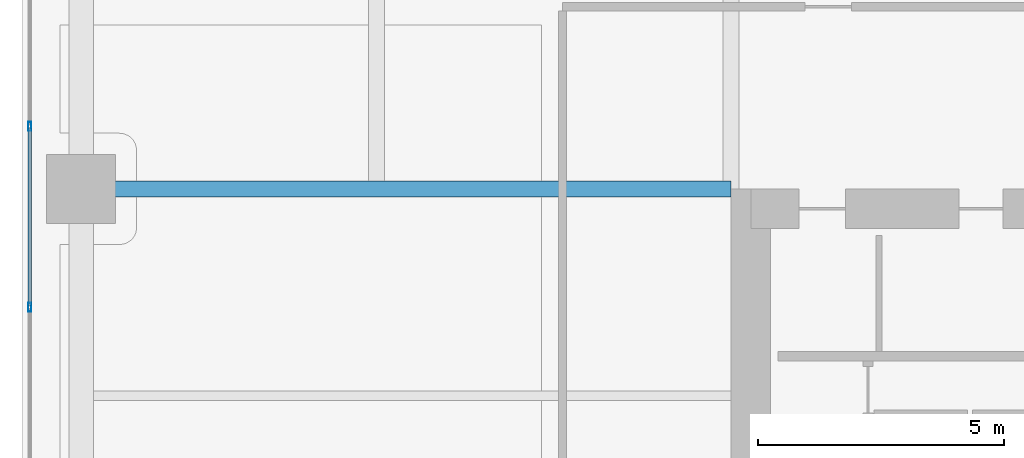
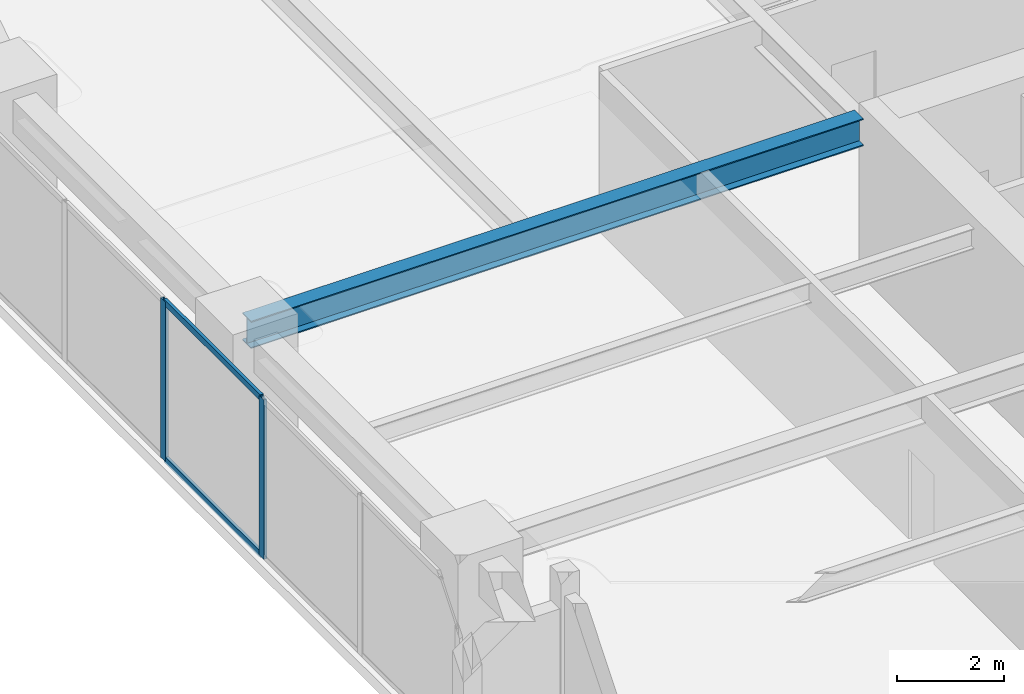
# One storey, part 8 of 24: 4 members, 1 beam, 1 element without a shape of its own.
"""IFC4 building model written with IfcOpenShell, lengths in metres."""

from ifc_helpers import new_model, si_unit, direction, frame, origin, origin_2d, place, context, subcontext, project, spatial, hollow_rectangle, i_section, extrude, material, layer, layer_set, material_profile, profile_set, type_object, element, aggregate, save


model = new_model("IFC4")

# Units and contexts
model_context = context("Model", 3, precision=1e-05, world=origin(), true_north=direction((0.0, 1.0)))
body_context = subcontext(model_context, "Body", "Model", "MODEL_VIEW")
ifc_project = project(units=[si_unit("LENGTHUNIT", "METRE"), si_unit("AREAUNIT", "SQUARE_METRE"), si_unit("VOLUMEUNIT", "CUBIC_METRE"), si_unit("PLANEANGLEUNIT", "RADIAN"), si_unit("MASSUNIT", "GRAM", prefix="KILO")], contexts=[model_context])

# Site, building, storey
site_placement = place(None, origin())
site = spatial("IfcSite", under=ifc_project, at=site_placement, CompositionType="ELEMENT")
building_placement = place(site_placement, origin())
building = spatial("IfcBuilding", under=site, at=building_placement, Name="Kiyonajd Concourse Tower", CompositionType="ELEMENT")
storey_placement = place(building_placement, frame((0.0, 0.0, 97.5)))
storey = spatial("IfcBuildingStorey", under=building, at=storey_placement, Name="L25", CompositionType="ELEMENT", Elevation=97.5)

# Beam
ifc_material_1 = material(Name="Steel ASTM A992 Grade 50", Category="steel")
ifc_material_profile_1 = material_profile(ifc_material_1, i_section(OverallWidth=0.326904296875, OverallDepth=0.6220703125, WebThickness=0.015380859375, FlangeThickness=0.0244140625, at=origin_2d()), Name="W610X195")
ifc_profile_set_1 = profile_set([ifc_material_profile_1], Name="Steel ASTM A992 Grade 50")
beam_type = type_object("IfcBeamType", Name="BM-TWR-610A", PredefinedType="BEAM", material=ifc_profile_set_1)
beam_placement = place(storey_placement, frame((19.199951171875, 44.39990234375, 3.3291015625), z_axis=(1.0, 0.0, 0.0), x_axis=(0.0, 1.0, 0.0)))
element("IfcBeam", 1, at=beam_placement, inside=storey, type_object=beam_type, Name="L25 West Lease Girder", PredefinedType="BEAM", context=body_context, shape_type="SweptSolid", body=[
    extrude(i_section(OverallWidth=0.326904296875, OverallDepth=0.6220703125, WebThickness=0.015380859375, FlangeThickness=0.0244140625, at=origin_2d()), origin(), (0.0, 0.0, 1.0), 13.199951171875),
])

# Curtain wall, members
ifc_material_2 = material(Name="Thermally Broken Anodised Aluminium", Category="aluminium")
ifc_layer = layer(ifc_material_2, 0.179931640625)
ifc_layer_set = layer_set([ifc_layer], Name="Thermally Broken Anodised Aluminium")
curtain_wall_type = type_object("IfcCurtainWallType", Name="CW-SYS-03", PredefinedType="NOTDEFINED", material=ifc_layer_set)
curtain_wall_placement = place(storey_placement, origin())
curtain_wall = element("IfcCurtainWall", 2, at=curtain_wall_placement, inside=storey, type_object=curtain_wall_type, Name="L25 Unitised Curtain Wall CW3", PredefinedType="NOTDEFINED")
ifc_material_profile_2 = material_profile(ifc_material_2, hollow_rectangle(XDim=0.06494140625, YDim=0.179931640625, WallThickness=0.00390625, at=origin_2d()), Name="MULL-65x180")
ifc_profile_set_2 = profile_set([ifc_material_profile_2], Name="Thermally Broken Anodised Aluminium")
member_type_1 = type_object("IfcMemberType", Name="MB-CW-MULL1", PredefinedType="MULLION", material=ifc_profile_set_2)
member_1_placement = place(storey_placement, frame((18.159912109375, 41.996337890625, 0.0), z_axis=(0.0, 0.0, 1.0), x_axis=(-1.0, 0.0, 0.0)))
member_1 = element("IfcMember", 3, at=member_1_placement, type_object=member_type_1, Name="CW3 mullion 3", PredefinedType="MULLION", context=body_context, shape_type="SweptSolid", body=[
    extrude(hollow_rectangle(XDim=0.06494140625, YDim=0.179931640625, WallThickness=0.00390625, at=origin_2d()), origin(), (0.0, 0.0, 1.0), 3.639892578125),
])
member_2_placement = place(storey_placement, frame((18.159912109375, 45.66943359375, 0.0), z_axis=(0.0, 0.0, 1.0), x_axis=(-1.0, 0.0, 0.0)))
member_2 = element("IfcMember", 4, at=member_2_placement, type_object=member_type_1, Name="CW3 mullion 4", PredefinedType="MULLION", context=body_context, shape_type="SweptSolid", body=[
    extrude(hollow_rectangle(XDim=0.06494140625, YDim=0.179931640625, WallThickness=0.00390625, at=origin_2d()), origin(), (0.0, 0.0, 1.0), 3.639892578125),
])
ifc_material_profile_3 = material_profile(ifc_material_2, hollow_rectangle(XDim=0.06494140625, YDim=0.139892578125, WallThickness=0.00390625, at=origin_2d()), Name="TRAN-65x140")
ifc_profile_set_3 = profile_set([ifc_material_profile_3], Name="Thermally Broken Anodised Aluminium")
member_type_2 = type_object("IfcMemberType", Name="MB-CW-TRAN1", PredefinedType="USERDEFINED", material=ifc_profile_set_3)
member_3_placement = place(storey_placement, frame((18.159912109375, 42.02880859375, 0.032470703125), z_axis=(0.0, 1.0, 0.0), x_axis=(-1.0, 0.0, 0.0)))
member_3 = element("IfcMember", 5, at=member_3_placement, type_object=member_type_2, Name="CW3 transom 3.1", ObjectType="TRANSOM", PredefinedType="USERDEFINED", context=body_context, shape_type="SweptSolid", body=[
    extrude(hollow_rectangle(XDim=0.06494140625, YDim=0.139892578125, WallThickness=0.00390625, at=origin_2d()), origin(), (0.0, 0.0, 1.0), 3.608154296875),
])
member_4_placement = place(storey_placement, frame((18.159912109375, 42.02880859375, 3.607421875), z_axis=(0.0, 1.0, 0.0), x_axis=(-1.0, 0.0, 0.0)))
member_4 = element("IfcMember", 6, at=member_4_placement, type_object=member_type_2, Name="CW3 transom 3.2", ObjectType="TRANSOM", PredefinedType="USERDEFINED", context=body_context, shape_type="SweptSolid", body=[
    extrude(hollow_rectangle(XDim=0.06494140625, YDim=0.139892578125, WallThickness=0.00390625, at=origin_2d()), origin(), (0.0, 0.0, 1.0), 3.608154296875),
])
aggregate(curtain_wall, [member_1, member_2, member_3, member_4])

save(model, "model.ifc")
